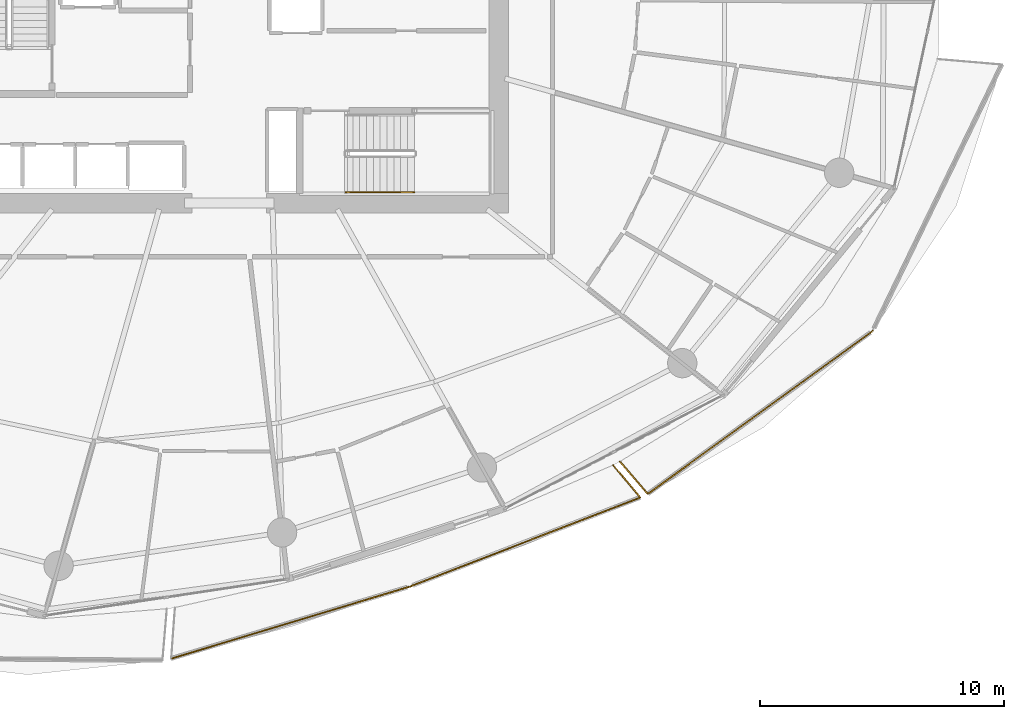
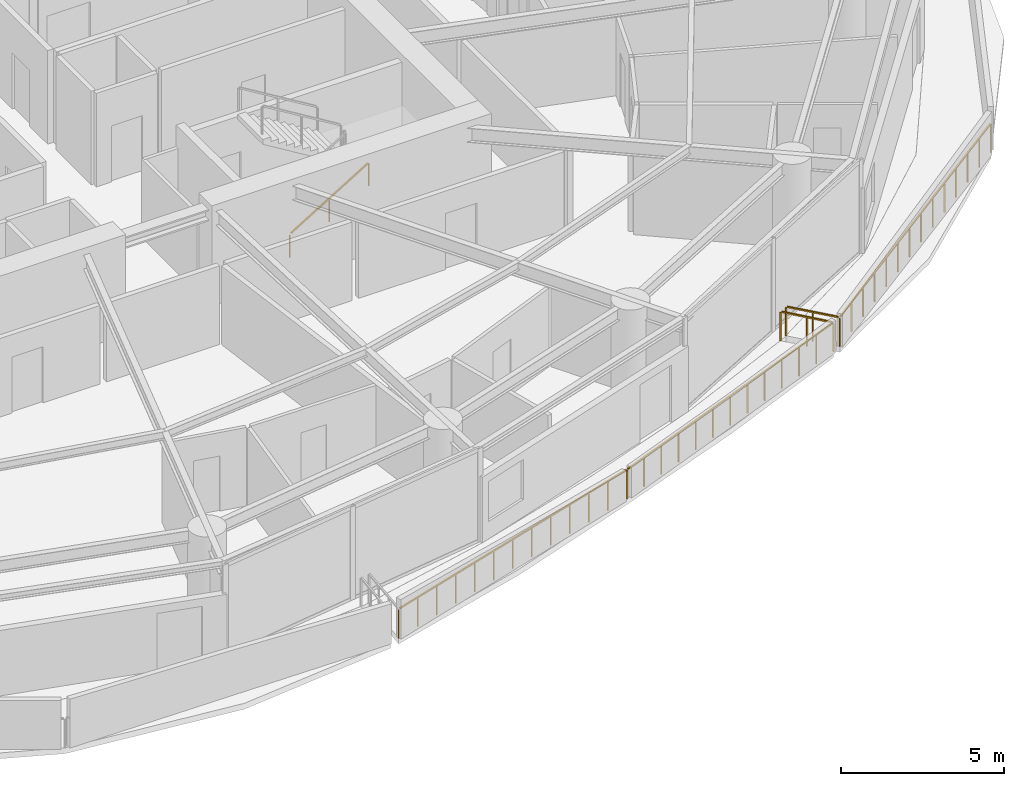
# One storey, part 19 of 23: 6 railings.
"""IFC4 building model written with IfcOpenShell, lengths in metres."""

from ifc_helpers import new_model, si_unit, direction, frame, origin, origin_2d, place, context, subcontext, project, spatial, rectangle, extrude, material, type_object, element, save


model = new_model("IFC4")

# Units and contexts
model_context = context("Model", 3, precision=1e-05, world=origin(), true_north=direction((0.0, 1.0)))
body_context = subcontext(model_context, "Body", "Model", "MODEL_VIEW")
ifc_project = project(units=[si_unit("LENGTHUNIT", "METRE"), si_unit("AREAUNIT", "SQUARE_METRE"), si_unit("VOLUMEUNIT", "CUBIC_METRE"), si_unit("PLANEANGLEUNIT", "RADIAN"), si_unit("MASSUNIT", "GRAM", prefix="KILO")], contexts=[model_context])

# Site, building, storey
site_placement = place(None, origin())
site = spatial("IfcSite", under=ifc_project, at=site_placement, CompositionType="ELEMENT")
building_placement = place(site_placement, origin())
building = spatial("IfcBuilding", under=site, at=building_placement, Name="Kazma Halo Residences", CompositionType="ELEMENT")
storey_placement = place(building_placement, frame((0.0, 0.0, 86.39990234375)))
storey = spatial("IfcBuildingStorey", under=building, at=storey_placement, Name="L21", CompositionType="ELEMENT", Elevation=86.39990234375)

# Railings
ifc_material_1 = material(Name="Aluminium AW-6063 T6 Brushed Cap Rail", Category="aluminium")
railing_type_1 = type_object("IfcRailingType", Name="RLG-BAL-CAP-1120", PredefinedType="BALUSTRADE", material=ifc_material_1)
railing_1_placement = place(storey_placement, frame((46.038330078125, 14.964111328125, 0.0)))
element("IfcRailing", 1, at=railing_1_placement, inside=storey, type_object=railing_type_1, Name="L21 SSE wave balcony guard 2", PredefinedType="BALUSTRADE", context=body_context, shape_type="SweptSolid", body=[
    extrude(rectangle(XDim=0.050048828125, YDim=0.050048828125, at=origin_2d()), frame((0.040771484375, 0.01220703125, 1.09521484375), z_axis=(0.957357003907, 0.288907540694, 0.0), x_axis=(-0.288907540694, 0.957357003907, 0.0)), (0.0, 0.0, 1.0), 10.137451171875),
    extrude(rectangle(XDim=0.0400390625, YDim=0.0400390625, at=origin_2d()), origin(), (0.0, 0.0, 1.0), 1.05810546875),
    extrude(rectangle(XDim=0.0400390625, YDim=0.0400390625, at=origin_2d()), frame((0.8154296875, 0.24609375, 0.0)), (0.0, 0.0, 1.0), 1.05810546875),
    extrude(rectangle(XDim=0.0400390625, YDim=0.0400390625, at=origin_2d()), frame((1.631103515625, 0.4921875, 0.0)), (0.0, 0.0, 1.0), 1.05810546875),
    extrude(rectangle(XDim=0.0400390625, YDim=0.0400390625, at=origin_2d()), frame((2.44677734375, 0.73828125, 0.0)), (0.0, 0.0, 1.0), 1.05810546875),
    extrude(rectangle(XDim=0.0400390625, YDim=0.0400390625, at=origin_2d()), frame((3.26220703125, 0.984375, 0.0)), (0.0, 0.0, 1.0), 1.05810546875),
    extrude(rectangle(XDim=0.0400390625, YDim=0.0400390625, at=origin_2d()), frame((4.07763671875, 1.23046875, 0.0)), (0.0, 0.0, 1.0), 1.05810546875),
    extrude(rectangle(XDim=0.0400390625, YDim=0.0400390625, at=origin_2d()), frame((4.893310546875, 1.4765625, 0.0)), (0.0, 0.0, 1.0), 1.05810546875),
    extrude(rectangle(XDim=0.0400390625, YDim=0.0400390625, at=origin_2d()), frame((5.708984375, 1.722900390625, 0.0)), (0.0, 0.0, 1.0), 1.05810546875),
    extrude(rectangle(XDim=0.0400390625, YDim=0.0400390625, at=origin_2d()), frame((6.5244140625, 1.968994140625, 0.0)), (0.0, 0.0, 1.0), 1.05810546875),
    extrude(rectangle(XDim=0.0400390625, YDim=0.0400390625, at=origin_2d()), frame((7.33984375, 2.215087890625, 0.0)), (0.0, 0.0, 1.0), 1.05810546875),
    extrude(rectangle(XDim=0.0400390625, YDim=0.0400390625, at=origin_2d()), frame((8.155517578125, 2.461181640625, 0.0)), (0.0, 0.0, 1.0), 1.05810546875),
    extrude(rectangle(XDim=0.0400390625, YDim=0.0400390625, at=origin_2d()), frame((8.97119140625, 2.707275390625, 0.0)), (0.0, 0.0, 1.0), 1.05810546875),
    extrude(rectangle(XDim=0.0400390625, YDim=0.0400390625, at=origin_2d()), frame((9.78662109375, 2.953369140625, 0.0)), (0.0, 0.0, 1.0), 1.05810546875),
])
railing_2_placement = place(storey_placement, frame((55.824951171875, 17.91748046875, 0.0)))
element("IfcRailing", 2, at=railing_2_placement, inside=storey, type_object=railing_type_1, Name="L21 SSE wave balcony guard 3", PredefinedType="BALUSTRADE", context=body_context, shape_type="SweptSolid", body=[
    extrude(rectangle(XDim=0.050048828125, YDim=0.050048828125, at=origin_2d()), frame((0.039794921875, 0.015380859375, 1.09521484375), z_axis=(0.93269853064, 0.360656971293, 0.0), x_axis=(-0.360656971293, 0.93269853064, 0.0)), (0.0, 0.0, 1.0), 10.0126953125),
    extrude(rectangle(XDim=0.0400390625, YDim=0.0400390625, at=origin_2d()), origin(), (0.0, 0.0, 1.0), 1.05810546875),
    extrude(rectangle(XDim=0.0400390625, YDim=0.0400390625, at=origin_2d()), frame((0.784912109375, 0.303466796875, 0.0)), (0.0, 0.0, 1.0), 1.05810546875),
    extrude(rectangle(XDim=0.0400390625, YDim=0.0400390625, at=origin_2d()), frame((1.56982421875, 0.60693359375, 0.0)), (0.0, 0.0, 1.0), 1.05810546875),
    extrude(rectangle(XDim=0.0400390625, YDim=0.0400390625, at=origin_2d()), frame((2.3544921875, 0.910400390625, 0.0)), (0.0, 0.0, 1.0), 1.05810546875),
    extrude(rectangle(XDim=0.0400390625, YDim=0.0400390625, at=origin_2d()), frame((3.139404296875, 1.2138671875, 0.0)), (0.0, 0.0, 1.0), 1.05810546875),
    extrude(rectangle(XDim=0.0400390625, YDim=0.0400390625, at=origin_2d()), frame((3.92431640625, 1.517333984375, 0.0)), (0.0, 0.0, 1.0), 1.05810546875),
    extrude(rectangle(XDim=0.0400390625, YDim=0.0400390625, at=origin_2d()), frame((4.708984375, 1.82080078125, 0.0)), (0.0, 0.0, 1.0), 1.05810546875),
    extrude(rectangle(XDim=0.0400390625, YDim=0.0400390625, at=origin_2d()), frame((5.493896484375, 2.12451171875, 0.0)), (0.0, 0.0, 1.0), 1.05810546875),
    extrude(rectangle(XDim=0.0400390625, YDim=0.0400390625, at=origin_2d()), frame((6.27880859375, 2.427978515625, 0.0)), (0.0, 0.0, 1.0), 1.05810546875),
    extrude(rectangle(XDim=0.0400390625, YDim=0.0400390625, at=origin_2d()), frame((7.063720703125, 2.7314453125, 0.0)), (0.0, 0.0, 1.0), 1.05810546875),
    extrude(rectangle(XDim=0.0400390625, YDim=0.0400390625, at=origin_2d()), frame((7.8486328125, 3.034912109375, 0.0)), (0.0, 0.0, 1.0), 1.05810546875),
    extrude(rectangle(XDim=0.0400390625, YDim=0.0400390625, at=origin_2d()), frame((8.63330078125, 3.33837890625, 0.0)), (0.0, 0.0, 1.0), 1.05810546875),
    extrude(rectangle(XDim=0.0400390625, YDim=0.0400390625, at=origin_2d()), frame((9.418212890625, 3.641845703125, 0.0)), (0.0, 0.0, 1.0), 1.05810546875),
])
railing_3_placement = place(storey_placement, frame((65.2431640625, 21.559326171875, 0.0)))
element("IfcRailing", 3, at=railing_3_placement, inside=storey, type_object=railing_type_1, Name="L21 SSE wave balcony guard 4", PredefinedType="BALUSTRADE", context=body_context, shape_type="SweptSolid", body=[
    extrude(rectangle(XDim=0.050048828125, YDim=0.050048828125, at=origin_2d()), frame((-0.02734375, 0.032470703125, 1.09521484375), z_axis=(-0.644765362602, 0.764380551289, 0.0), x_axis=(-0.764380551289, -0.644765362602, 0.0)), (0.0, 0.0, 1.0), 1.645751953125),
    extrude(rectangle(XDim=0.0400390625, YDim=0.0400390625, at=origin_2d()), origin(), (0.0, 0.0, 1.0), 1.05810546875),
    extrude(rectangle(XDim=0.0400390625, YDim=0.0400390625, at=origin_2d()), frame((-0.55810546875, 0.66162109375, 0.0)), (0.0, 0.0, 1.0), 1.05810546875),
    extrude(rectangle(XDim=0.0400390625, YDim=0.0400390625, at=origin_2d()), frame((-1.115966796875, 1.322998046875, 0.0)), (0.0, 0.0, 1.0), 1.05810546875),
])
railing_4_placement = place(storey_placement, frame((64.40576171875, 23.027099609375, 0.0)))
element("IfcRailing", 4, at=railing_4_placement, inside=storey, type_object=railing_type_1, Name="L21 SE wave balcony guard 1", PredefinedType="BALUSTRADE", context=body_context, shape_type="SweptSolid", body=[
    extrude(rectangle(XDim=0.050048828125, YDim=0.050048828125, at=origin_2d()), frame((0.02783203125, -0.0322265625, 1.09521484375), z_axis=(0.654164883595, -0.756351971685, 0.0), x_axis=(0.756351971685, 0.654164883595, 0.0)), (0.0, 0.0, 1.0), 1.663818359375),
    extrude(rectangle(XDim=0.0400390625, YDim=0.0400390625, at=origin_2d()), origin(), (0.0, 0.0, 1.0), 1.05810546875),
    extrude(rectangle(XDim=0.0400390625, YDim=0.0400390625, at=origin_2d()), frame((0.572021484375, -0.661376953125, 0.0)), (0.0, 0.0, 1.0), 1.05810546875),
    extrude(rectangle(XDim=0.0400390625, YDim=0.0400390625, at=origin_2d()), frame((1.14404296875, -1.32275390625, 0.0)), (0.0, 0.0, 1.0), 1.05810546875),
])
railing_5_placement = place(storey_placement, frame((65.5498046875, 21.704345703125, 0.0)))
element("IfcRailing", 5, at=railing_5_placement, inside=storey, type_object=railing_type_1, Name="L21 SE wave balcony guard 2", PredefinedType="BALUSTRADE", context=body_context, shape_type="SweptSolid", body=[
    extrude(rectangle(XDim=0.050048828125, YDim=0.050048828125, at=origin_2d()), frame((0.034423828125, 0.02490234375, 1.09521484375), z_axis=(0.809768191788, 0.586749925921, 0.0), x_axis=(-0.586749925921, 0.809768191788, 0.0)), (0.0, 0.0, 1.0), 11.27587890625),
    extrude(rectangle(XDim=0.0400390625, YDim=0.0400390625, at=origin_2d()), origin(), (0.0, 0.0, 1.0), 1.05810546875),
    extrude(rectangle(XDim=0.0400390625, YDim=0.0400390625, at=origin_2d()), frame((0.707763671875, 0.5126953125, 0.0)), (0.0, 0.0, 1.0), 1.05810546875),
    extrude(rectangle(XDim=0.0400390625, YDim=0.0400390625, at=origin_2d()), frame((1.415283203125, 1.025634765625, 0.0)), (0.0, 0.0, 1.0), 1.05810546875),
    extrude(rectangle(XDim=0.0400390625, YDim=0.0400390625, at=origin_2d()), frame((2.123046875, 1.538330078125, 0.0)), (0.0, 0.0, 1.0), 1.05810546875),
    extrude(rectangle(XDim=0.0400390625, YDim=0.0400390625, at=origin_2d()), frame((2.83056640625, 2.051025390625, 0.0)), (0.0, 0.0, 1.0), 1.05810546875),
    extrude(rectangle(XDim=0.0400390625, YDim=0.0400390625, at=origin_2d()), frame((3.538330078125, 2.56396484375, 0.0)), (0.0, 0.0, 1.0), 1.05810546875),
    extrude(rectangle(XDim=0.0400390625, YDim=0.0400390625, at=origin_2d()), frame((4.24609375, 3.07666015625, 0.0)), (0.0, 0.0, 1.0), 1.05810546875),
    extrude(rectangle(XDim=0.0400390625, YDim=0.0400390625, at=origin_2d()), frame((4.95361328125, 3.58935546875, 0.0)), (0.0, 0.0, 1.0), 1.05810546875),
    extrude(rectangle(XDim=0.0400390625, YDim=0.0400390625, at=origin_2d()), frame((5.661376953125, 4.10205078125, 0.0)), (0.0, 0.0, 1.0), 1.05810546875),
    extrude(rectangle(XDim=0.0400390625, YDim=0.0400390625, at=origin_2d()), frame((6.369140625, 4.614990234375, 0.0)), (0.0, 0.0, 1.0), 1.05810546875),
    extrude(rectangle(XDim=0.0400390625, YDim=0.0400390625, at=origin_2d()), frame((7.07666015625, 5.127685546875, 0.0)), (0.0, 0.0, 1.0), 1.05810546875),
    extrude(rectangle(XDim=0.0400390625, YDim=0.0400390625, at=origin_2d()), frame((7.784423828125, 5.640380859375, 0.0)), (0.0, 0.0, 1.0), 1.05810546875),
    extrude(rectangle(XDim=0.0400390625, YDim=0.0400390625, at=origin_2d()), frame((8.491943359375, 6.1533203125, 0.0)), (0.0, 0.0, 1.0), 1.05810546875),
    extrude(rectangle(XDim=0.0400390625, YDim=0.0400390625, at=origin_2d()), frame((9.19970703125, 6.666015625, 0.0)), (0.0, 0.0, 1.0), 1.05810546875),
])
ifc_material_2 = material(Name="Brushed Stainless Steel", Category="steel")
railing_type_2 = type_object("IfcRailingType", Name="RLG-STAIR-HND-900", PredefinedType="HANDRAIL", material=ifc_material_2)
railing_6_placement = place(storey_placement, frame((53.199951171875, 34.050048828125, 0.170654296875)))
element("IfcRailing", 6, at=railing_6_placement, inside=storey, type_object=railing_type_2, Name="L21 ST-03 stair handrail 1", PredefinedType="HANDRAIL", context=body_context, shape_type="SweptSolid", body=[
    extrude(rectangle(XDim=0.050048828125, YDim=0.050048828125, at=origin_2d()), frame((0.036376953125, 0.0, 0.89697265625), z_axis=(0.854202870247, 0.0, 0.519939858505), x_axis=(0.0, 1.0, 0.0)), (0.0, 0.0, 1.0), 3.19287109375),
    extrude(rectangle(XDim=0.0400390625, YDim=0.0400390625, at=origin_2d()), origin(), (0.0, 0.0, 1.0), 0.837890625),
    extrude(rectangle(XDim=0.0400390625, YDim=0.0400390625, at=origin_2d()), frame((1.39990234375, 0.0, 0.85205078125)), (0.0, 0.0, 1.0), 0.837890625),
    extrude(rectangle(XDim=0.0400390625, YDim=0.0400390625, at=origin_2d()), frame((2.800048828125, 0.0, 1.704345703125)), (0.0, 0.0, 1.0), 0.837890625),
])

save(model, "model.ifc")
